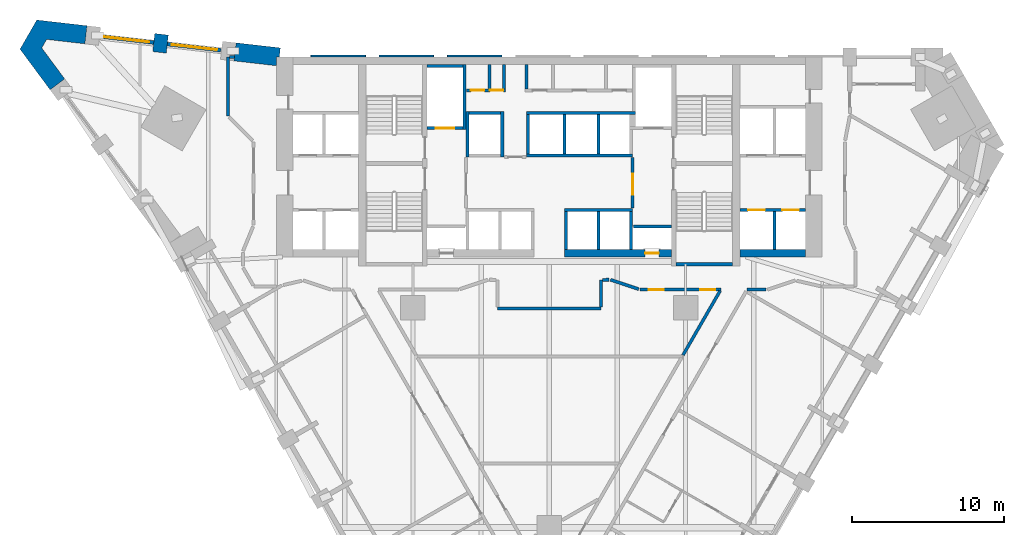
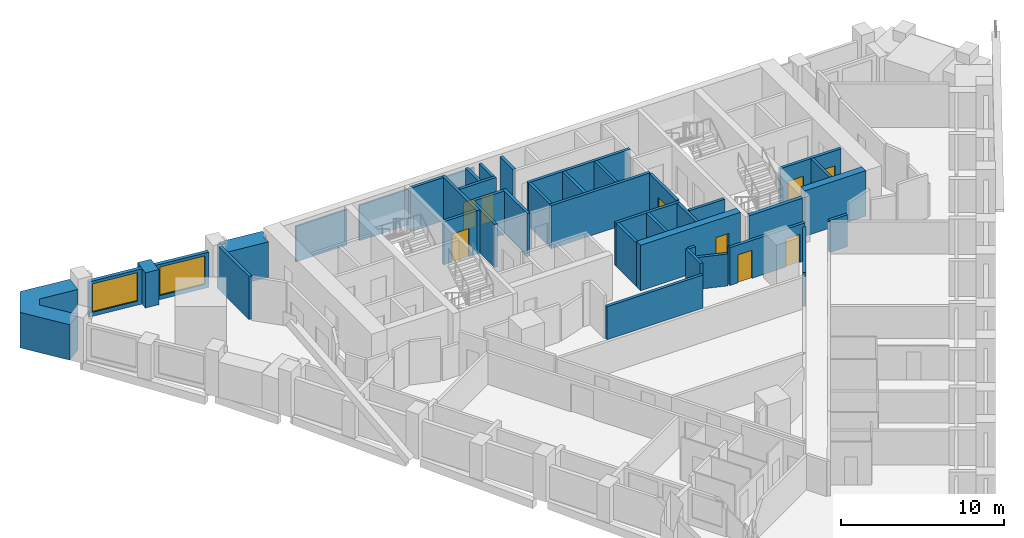
# One storey, part 7 of 11: 43 walls, 9 doors, 2 windows, 11 openings.
"""IFC4 building model written with IfcOpenShell, lengths in metres."""

from ifc_helpers import new_model, si_unit, direction, frame, frame_2d, origin, place, context, subcontext, project, spatial, polyline, rectangle, outline, extrude, material, layer, layer_set, type_object, element, fill, save


model = new_model("IFC4")

# Units and contexts
model_context = context("Model", 3, precision=1e-05, world=origin(), true_north=direction((0.0, 1.0)))
body_context = subcontext(model_context, "Body", "Model", "MODEL_VIEW")
ifc_project = project(units=[si_unit("LENGTHUNIT", "METRE"), si_unit("AREAUNIT", "SQUARE_METRE"), si_unit("VOLUMEUNIT", "CUBIC_METRE"), si_unit("PLANEANGLEUNIT", "RADIAN"), si_unit("MASSUNIT", "GRAM", prefix="KILO")], contexts=[model_context])

# Site, building, storey
site_placement = place(None, origin())
site = spatial("IfcSite", under=ifc_project, at=site_placement, CompositionType="ELEMENT")
building_placement = place(site_placement, origin())
building = spatial("IfcBuilding", under=site, at=building_placement, Name="Calabash Gate Tower", CompositionType="ELEMENT")
storey_placement = place(building_placement, frame((0.0, 0.0, 73.199951171875)))
storey = spatial("IfcBuildingStorey", under=building, at=storey_placement, Name="L14", CompositionType="ELEMENT", Elevation=73.199951171875)

# Walls
ifc_material_1 = material(Name="Terracotta brick masonry, exposed face", Category="masonry")
ifc_layer_1 = layer(ifc_material_1, 1.199951171875)
ifc_layer_set_1 = layer_set([ifc_layer_1], Name="Brick end wall 1200")
wall_type_1 = type_object("IfcWallType", Name="Brick end wall 1200", PredefinedType="SOLIDWALL", material=ifc_layer_set_1)
wall_1_placement = place(storey_placement, frame((-25.712890625, 19.35400390625, 0.0), z_axis=(0.0, 0.0, 1.0), x_axis=(0.113735952551, 0.993511013073, 0.0)))
element("IfcWall", 1, at=wall_1_placement, inside=storey, type_object=wall_type_1, Name="Brick pier S03 wedge5.1", PredefinedType="SOLIDWALL", context=body_context, shape_type="SweptSolid", body=[
    extrude(rectangle(XDim=1.199951171875, YDim=0.89990234375, at=frame_2d((0.60009765625, 0.0))), origin(), (0.0, 0.0, 1.0), 2.630126953125),
])
wall_2_placement = place(storey_placement, origin())
element("IfcWall", 2, at=wall_2_placement, inside=storey, type_object=wall_type_1, Name="Brick end wall S03 1", PredefinedType="SOLIDWALL", context=body_context, shape_type="SweptSolid", body=[
    extrude(outline(polyline([(-20.658447265625, 19.983154296875), (-20.794921875, 18.790771484375), (-18.0, 18.470703125), (-18.0, 19.052490234375), (-17.806640625, 19.052490234375), (-17.738525390625, 19.648681640625), (-20.658447265625, 19.983154296875)])), origin(), (0.0, 0.0, 1.0), 2.650146484375),
])
wall_3_placement = place(storey_placement, origin())
element("IfcWall", 3, at=wall_3_placement, inside=storey, type_object=wall_type_1, Name="Brick end wall S03 2", PredefinedType="SOLIDWALL", context=body_context, shape_type="SweptSolid", body=[
    extrude(outline(polyline([(-33.15966796875, 20.206787109375), (-30.630615234375, 19.917236328125), (-30.494140625, 21.109375), (-33.805419921875, 21.48876953125), (-34.915771484375, 19.5654296875), (-32.931884765625, 16.887451171875), (-31.967529296875, 17.601806640625), (-33.48291015625, 19.647216796875), (-33.15966796875, 20.206787109375)])), origin(), (0.0, 0.0, 1.0), 2.650146484375),
])
ifc_material_2 = material(Name="Gypsum board on steel studs, mineral wool", Category="steel")
ifc_layer_2 = layer(ifc_material_2, 0.199951171875)
ifc_layer_set_2 = layer_set([ifc_layer_2], Name="Core partition 200 gypsum board")
wall_type_2 = type_object("IfcWallType", Name="Core partition 200 gypsum board", PredefinedType="PARTITIONING", material=ifc_layer_set_2)
for number, where, z_axis, x_axis, name in (
    (4, (-3.949951171875, 16.95263671875, 0.0), (0.0, 0.0, 1.0), (0.0, 1.0, 0.0), "Core partition"),
    (5, (-3.0, 16.95263671875, 0.0), (0.0, 0.0, 1.0), (0.0, 1.0, 0.0), "Core partition"),
    (6, (-1.5, 16.95263671875, 0.0), (0.0, 0.0, 1.0), (0.0, 1.0, 0.0), "Core partition"),
):
    element("IfcWall", number, at=place(storey_placement, frame(where, z_axis=z_axis, x_axis=x_axis)), inside=storey, type_object=wall_type_2, Name=name, PredefinedType="PARTITIONING", context=body_context, shape_type="SweptSolid", body=[
        extrude(rectangle(XDim=1.599853515625, YDim=0.199951171875, at=frame_2d((0.7998046875, 0.0))), origin(), (0.0, 0.0, 1.0), 3.22998046875),
    ])
ifc_material_3 = material(Name="Concrete C80/95", Category="concrete")
ifc_layer_3 = layer(ifc_material_3, 0.25)
ifc_layer_set_3 = layer_set([ifc_layer_3], Name="Core wall 250 Concrete C80/95")
wall_type_3 = type_object("IfcWallType", Name="Core wall 250 Concrete C80/95", PredefinedType="SHEAR", material=ifc_layer_set_3)
wall_4_placement = place(storey_placement, frame((8.35009765625, 5.377685546875, 0.0), z_axis=(0.0, 0.0, 1.0), x_axis=(1.0, 0.0, 0.0)))
element("IfcWall", 7, at=wall_4_placement, inside=storey, type_object=wall_type_3, Name="Core wall Z1-SSE L14", PredefinedType="SHEAR", context=body_context, shape_type="SweptSolid", body=[
    extrude(rectangle(XDim=3.75, YDim=0.25, at=frame_2d((1.875, 0.0))), origin(), (0.0, 0.0, 1.0), 3.400146484375),
])

# Wall, opening, door
ifc_material_4 = material(Name="Concrete C80/95", Category="concrete")
ifc_layer_4 = layer(ifc_material_4, 0.5)
ifc_layer_set_4 = layer_set([ifc_layer_4], Name="Core wall 500 Concrete C80/95")
wall_type_4 = type_object("IfcWallType", Name="Core wall 500 Concrete C80/95", PredefinedType="SHEAR", material=ifc_layer_set_4)
wall_5_placement = place(storey_placement, frame((1.0, 6.1025390625, 0.0), z_axis=(0.0, 0.0, 1.0), x_axis=(1.0, 0.0, 0.0)))
wall_5 = element("IfcWall", 8, at=wall_5_placement, inside=storey, type_object=wall_type_4, Name="Core wall Z1-SB L14", PredefinedType="SHEAR", context=body_context, shape_type="SweptSolid", body=[
    extrude(rectangle(XDim=7.050048828125, YDim=0.5, at=frame_2d((3.52490234375, 0.0))), origin(), (0.0, 0.0, 1.0), 3.400146484375),
])
opening_1_placement = place(wall_5_placement, frame((5.324951171875, 0.0, 0.0)))
opening_1 = element("IfcOpeningElement", 9, at=opening_1_placement, cuts=wall_5, Name="Opening H3-013", PredefinedType="OPENING", context=body_context, shape_type="SweptSolid", body=[
    extrude(rectangle(XDim=0.89990234375, YDim=2.10009765625, at=frame_2d((0.449951171875, 1.050048828125))), frame((0.0, 0.260009765625, 0.0), z_axis=(0.0, -1.0, 0.0), x_axis=(1.0, 0.0, 0.0)), (0.0, 0.0, 1.0), 0.52001953125),
])
ifc_material_5 = material(Name="Steel fire door set with fire-resisting glazing", Category="steel")
door_type_1 = type_object("IfcDoorType", Name="Fire door D07 900x2100 FD90", OperationType="NOTDEFINED", PredefinedType="DOOR", material=ifc_material_5)
door_1_placement = place(opening_1_placement, origin())
door_1 = element("IfcDoor", 10, at=door_1_placement, inside=storey, type_object=door_type_1, Name="Mechanical Riser E door", OperationType="SINGLE_SWING_RIGHT", OverallHeight=2.10009765625, OverallWidth=0.89990234375, PredefinedType="DOOR", context=body_context, shape_type="SweptSolid", body=[
    extrude(rectangle(XDim=0.89990234375, YDim=2.10009765625, at=frame_2d((0.449951171875, 1.050048828125))), frame((0.0, 0.02490234375, 0.0), z_axis=(0.0, -1.0, 0.0), x_axis=(1.0, 0.0, 0.0)), (0.0, 0.0, 1.0), 0.050048828125),
])
fill(opening_1, door_1)

# Walls
wall_6_placement = place(storey_placement, frame((12.60009765625, 6.1025390625, 0.0), z_axis=(0.0, 0.0, 1.0), x_axis=(1.0, 0.0, 0.0)))
element("IfcWall", 11, at=wall_6_placement, inside=storey, type_object=wall_type_4, Name="Core wall Z1-SE L14", PredefinedType="SHEAR", context=body_context, shape_type="SweptSolid", body=[
    extrude(rectangle(XDim=4.2998046875, YDim=0.5, at=frame_2d((2.14990234375, 0.0))), origin(), (0.0, 0.0, 1.0), 3.400146484375),
])
ifc_material_6 = material(Name="Gypsum board on steel studs, mineral wool", Category="steel")
ifc_layer_5 = layer(ifc_material_6, 0.199951171875)
ifc_layer_set_5 = layer_set([ifc_layer_5], Name="Partition 200 gypsum board EI 60")
wall_type_5 = type_object("IfcWallType", Name="Partition 200 gypsum board EI 60", PredefinedType="PARTITIONING", material=ifc_layer_set_5)
wall_7_placement = place(storey_placement, frame((8.824462890625, -0.616943359375, 0.0), z_axis=(0.0, 0.0, 1.0), x_axis=(0.500271769931, 0.865868440475, 0.0)))
element("IfcWall", 12, at=wall_7_placement, inside=storey, type_object=wall_type_5, Name="Partition", PredefinedType="PARTITIONING", context=body_context, shape_type="SweptSolid", body=[
    extrude(rectangle(XDim=4.885498046875, YDim=0.199951171875, at=frame_2d((2.44287109375, 0.0))), origin(), (0.0, 0.0, 1.0), 2.552001953125),
])
wall_8_placement = place(storey_placement, frame((-3.400146484375, 2.452392578125, 0.0), z_axis=(0.0, 0.0, 1.0), x_axis=(1.0, 0.0, 0.0)))
element("IfcWall", 13, at=wall_8_placement, inside=storey, type_object=wall_type_5, Name="Partition", PredefinedType="PARTITIONING", context=body_context, shape_type="SweptSolid", body=[
    extrude(rectangle(XDim=6.800048828125, YDim=0.199951171875, at=frame_2d((3.39990234375, 0.0))), origin(), (0.0, 0.0, 1.0), 2.4736328125),
])

# Wall, openings, doors
wall_9_placement = place(storey_placement, frame((6.0, 3.69970703125, 0.0), z_axis=(0.0, 0.0, 1.0), x_axis=(1.0, 0.0, 0.0)))
wall_9 = element("IfcWall", 14, at=wall_9_placement, inside=storey, type_object=wall_type_5, Name="Partition", PredefinedType="PARTITIONING", context=body_context, shape_type="SweptSolid", body=[
    extrude(rectangle(XDim=5.318603515625, YDim=0.199951171875, at=frame_2d((2.6591796875, 0.0))), origin(), (0.0, 0.0, 1.0), 2.83154296875),
])
opening_2_placement = place(wall_9_placement, frame((0.563720703125, 0.0, 0.0)))
opening_2 = element("IfcOpeningElement", 15, at=opening_2_placement, cuts=wall_9, Name="Opening 12-14-010", PredefinedType="OPENING", context=body_context, shape_type="SweptSolid", body=[
    extrude(rectangle(XDim=1.0, YDim=2.10009765625, at=frame_2d((0.5, 1.050048828125))), frame((0.0, 0.10986328125, 0.0), z_axis=(0.0, -1.0, 0.0), x_axis=(1.0, 0.0, 0.0)), (0.0, 0.0, 1.0), 0.219970703125),
])
opening_3_placement = place(wall_9_placement, frame((3.949951171875, 0.0, 0.0)))
opening_3 = element("IfcOpeningElement", 16, at=opening_3_placement, cuts=wall_9, Name="Opening 12-14-025", PredefinedType="OPENING", context=body_context, shape_type="SweptSolid", body=[
    extrude(rectangle(XDim=1.0, YDim=2.10009765625, at=frame_2d((0.5, 1.050048828125))), frame((0.0, 0.10986328125, 0.0), z_axis=(0.0, -1.0, 0.0), x_axis=(1.0, 0.0, 0.0)), (0.0, 0.0, 1.0), 0.219970703125),
])
ifc_material_7 = material(Name="Steel fire door set with fire-resisting glazing", Category="steel")
door_type_2 = type_object("IfcDoorType", Name="LD2 Meeting room door 1000x2100", OperationType="NOTDEFINED", PredefinedType="DOOR", material=ifc_material_7)
door_2_placement = place(opening_2_placement, origin())
door_2 = element("IfcDoor", 17, at=door_2_placement, inside=storey, type_object=door_type_2, Name="Meeting room door", OperationType="SINGLE_SWING_RIGHT", OverallHeight=2.10009765625, OverallWidth=1.0, PredefinedType="DOOR", context=body_context, shape_type="SweptSolid", body=[
    extrude(rectangle(XDim=1.0, YDim=2.10009765625, at=frame_2d((0.5, 1.050048828125))), frame((0.0, 0.02490234375, 0.0), z_axis=(0.0, -1.0, 0.0), x_axis=(1.0, 0.0, 0.0)), (0.0, 0.0, 1.0), 0.050048828125),
])
fill(opening_2, door_2)
door_3_placement = place(opening_3_placement, origin())
door_3 = element("IfcDoor", 18, at=door_3_placement, inside=storey, type_object=door_type_2, Name="Meeting room door", OperationType="SINGLE_SWING_LEFT", OverallHeight=2.10009765625, OverallWidth=1.0, PredefinedType="DOOR", context=body_context, shape_type="SweptSolid", body=[
    extrude(rectangle(XDim=1.0, YDim=2.10009765625, at=frame_2d((0.5, 1.050048828125))), frame((0.0, 0.02490234375, 0.0), z_axis=(0.0, -1.0, 0.0), x_axis=(1.0, 0.0, 0.0)), (0.0, 0.0, 1.0), 0.050048828125),
])
fill(opening_3, door_3)

# Walls
wall_10_placement = place(storey_placement, frame((13.051513671875, 3.699462890625, 0.0), z_axis=(0.0, 0.0, 1.0), x_axis=(1.0, 0.0, 0.0)))
element("IfcWall", 19, at=wall_10_placement, inside=storey, type_object=wall_type_5, Name="Partition", PredefinedType="PARTITIONING", context=body_context, shape_type="SweptSolid", body=[
    extrude(rectangle(XDim=1.24853515625, YDim=0.199951171875, at=frame_2d((0.624267578125, 0.0))), origin(), (0.0, 0.0, 1.0), 2.384033203125),
])
wall_11_placement = place(storey_placement, frame((4.042236328125, 4.352294921875, 0.0), z_axis=(0.0, 0.0, 1.0), x_axis=(0.948695731075, -0.316190464499, 0.0)))
element("IfcWall", 20, at=wall_11_placement, inside=storey, type_object=wall_type_5, Name="Partition", PredefinedType="PARTITIONING", context=body_context, shape_type="SweptSolid", body=[
    extrude(rectangle(XDim=1.963623046875, YDim=0.199951171875, at=frame_2d((0.98193359375, 0.0))), origin(), (0.0, 0.0, 1.0), 2.384033203125),
])
wall_12_placement = place(storey_placement, frame((3.400146484375, 2.552490234375, 0.0), z_axis=(0.0, 0.0, 1.0), x_axis=(0.001086217961, 0.999999410065, 0.0)))
element("IfcWall", 21, at=wall_12_placement, inside=storey, type_object=wall_type_5, Name="Partition", PredefinedType="PARTITIONING", context=body_context, shape_type="SweptSolid", body=[
    extrude(rectangle(XDim=1.798095703125, YDim=0.199951171875, at=frame_2d((0.89892578125, 0.0))), origin(), (0.0, 0.0, 1.0), 3.22998046875),
])
wall_13_placement = place(storey_placement, frame((3.501953125, 4.350830078125, 0.0), z_axis=(0.0, 0.0, 1.0), x_axis=(0.999996159087, 0.00277160798, 0.0)))
element("IfcWall", 22, at=wall_13_placement, inside=storey, type_object=wall_type_5, Name="Partition", PredefinedType="PARTITIONING", context=body_context, shape_type="SweptSolid", body=[
    extrude(rectangle(XDim=0.4404296875, YDim=0.199951171875, at=frame_2d((0.22021484375, 0.0))), origin(), (0.0, 0.0, 1.0), 3.22998046875),
])
wall_14_placement = place(storey_placement, frame((-21.185791015625, 15.152587890625, 0.0), z_axis=(0.0, 0.0, 1.0), x_axis=(6.2601728e-05, 0.999999998041, 0.0)))
element("IfcWall", 23, at=wall_14_placement, inside=storey, type_object=wall_type_5, Name="Partition", PredefinedType="PARTITIONING", context=body_context, shape_type="SweptSolid", body=[
    extrude(rectangle(XDim=3.89990234375, YDim=0.199951171875, at=frame_2d((1.949951171875, 0.0))), origin(), (0.0, 0.0, 1.0), 3.22998046875),
])
wall_15_placement = place(storey_placement, frame((-21.08544921875, 19.052490234375, 0.0), z_axis=(0.0, 0.0, 1.0), x_axis=(0.999999709972, 0.000761614402, 0.0)))
element("IfcWall", 24, at=wall_15_placement, inside=storey, type_object=wall_type_5, Name="Partition", PredefinedType="PARTITIONING", context=body_context, shape_type="SweptSolid", body=[
    extrude(rectangle(XDim=0.320556640625, YDim=0.199951171875, at=frame_2d((0.16015625, 0.0))), origin(), (0.0, 0.0, 1.0), 3.22998046875),
])

# Wall, opening, window
ifc_material_8 = material(Name="Aluminium framed window wall with insulated spandrel", Category="aluminium")
ifc_layer_6 = layer(ifc_material_8, 0.25)
ifc_layer_set_6 = layer_set([ifc_layer_6], Name="Prow window wall 250")
wall_type_6 = type_object("IfcWallType", Name="Prow window wall 250", PredefinedType="ELEMENTEDWALL", material=ifc_layer_set_6)
wall_16_placement = place(storey_placement, frame((-21.670654296875, 19.4951171875, 0.0), z_axis=(0.0, 0.0, 1.0), x_axis=(-0.993508501237, 0.113757891902, 0.0)))
wall_16 = element("IfcWall", 25, at=wall_16_placement, inside=storey, type_object=wall_type_6, Name="Prow window wall S03 wedge5.1", PredefinedType="ELEMENTEDWALL", context=body_context, shape_type="SweptSolid", body=[
    extrude(rectangle(XDim=3.5517578125, YDim=0.25, at=frame_2d((1.77587890625, 0.0))), origin(), (0.0, 0.0, 1.0), 2.630126953125),
])
opening_4_placement = place(wall_16_placement, frame((0.25, 0.0, 0.300048828125)))
opening_4 = element("IfcOpeningElement", 26, at=opening_4_placement, cuts=wall_16, Name="Opening WP1L-2130", PredefinedType="OPENING", context=body_context, shape_type="SweptSolid", body=[
    extrude(rectangle(XDim=3.0, YDim=2.1298828125, at=frame_2d((1.5, 1.06494140625))), frame((0.0, 0.135009765625, 0.0), z_axis=(0.0, -1.0, 0.0), x_axis=(1.0, 0.0, 0.0)), (0.0, 0.0, 1.0), 0.27001953125),
])
ifc_material_9 = material(Name="Anodised aluminium frame, bronze finish, impact-rated laminated clear glazing", Category="aluminium")
window_type = type_object("IfcWindowType", Name="Window WP1L 3000x2130", PartitioningType="DOUBLE_PANEL_VERTICAL", PredefinedType="WINDOW", material=ifc_material_9)
window_1_placement = place(opening_4_placement, origin())
window_1 = element("IfcWindow", 27, at=window_1_placement, inside=storey, type_object=window_type, Name="Prow window WP1L S03 wedge5.1", OverallHeight=2.1298828125, OverallWidth=3.0, PartitioningType="SINGLE_PANEL", PredefinedType="WINDOW", context=body_context, shape_type="SweptSolid", body=[
    extrude(rectangle(XDim=3.0, YDim=2.1298828125, at=frame_2d((1.5, 1.06494140625))), frame((0.0, 0.030029296875, 0.0), z_axis=(0.0, -1.0, 0.0), x_axis=(1.0, 0.0, 0.0)), (0.0, 0.0, 1.0), 0.06005859375),
])
fill(opening_4, window_1)

wall_17_placement = place(storey_placement, frame((-26.089599609375, 20.001220703125, 0.0), z_axis=(0.0, 0.0, 1.0), x_axis=(-0.993509390647, 0.113750123938, 0.0)))
wall_17 = element("IfcWall", 28, at=wall_17_placement, inside=storey, type_object=wall_type_6, Name="Prow window wall S03 wedge5.2", PredefinedType="ELEMENTEDWALL", context=body_context, shape_type="SweptSolid", body=[
    extrude(rectangle(XDim=3.552001953125, YDim=0.25, at=frame_2d((1.77587890625, 0.0))), origin(), (0.0, 0.0, 1.0), 2.630126953125),
])
opening_5_placement = place(wall_17_placement, frame((0.302001953125, 0.0, 0.300048828125)))
opening_5 = element("IfcOpeningElement", 29, at=opening_5_placement, cuts=wall_17, Name="Opening WP1L-2130", PredefinedType="OPENING", context=body_context, shape_type="SweptSolid", body=[
    extrude(rectangle(XDim=3.0, YDim=2.1298828125, at=frame_2d((1.5, 1.06494140625))), frame((0.0, 0.135009765625, 0.0), z_axis=(0.0, -1.0, 0.0), x_axis=(1.0, 0.0, 0.0)), (0.0, 0.0, 1.0), 0.27001953125),
])
window_2_placement = place(opening_5_placement, origin())
window_2 = element("IfcWindow", 30, at=window_2_placement, inside=storey, type_object=window_type, Name="Prow window WP1L S03 wedge5.2", OverallHeight=2.1298828125, OverallWidth=3.0, PartitioningType="SINGLE_PANEL", PredefinedType="WINDOW", context=body_context, shape_type="SweptSolid", body=[
    extrude(rectangle(XDim=3.0, YDim=2.1298828125, at=frame_2d((1.5, 1.06494140625))), frame((0.0, 0.030029296875, 0.0), z_axis=(0.0, -1.0, 0.0), x_axis=(1.0, 0.0, 0.0)), (0.0, 0.0, 1.0), 0.06005859375),
])
fill(opening_5, window_2)

# Walls
ifc_material_10 = material(Name="Concrete C40/50", Category="concrete")
ifc_layer_7 = layer(ifc_material_10, 0.199951171875)
ifc_layer_set_7 = layer_set([ifc_layer_7], Name="Shaft wall 200 Concrete C40/50")
wall_type_7 = type_object("IfcWallType", Name="Shaft wall 200 Concrete C40/50", PredefinedType="SOLIDWALL", material=ifc_layer_set_7)
for number, where, z_axis, x_axis, name in (
    (31, (1.10009765625, 6.3525390625, 0.0), (0.0, 0.0, 1.0), (0.0, 1.0, 0.0), "Shaft wall"),
    (32, (3.25, 6.3525390625, 0.0), (0.0, 0.0, 1.0), (0.0, 1.0, 0.0), "Shaft wall"),
    (33, (5.39990234375, 6.3525390625, 0.0), (0.0, 0.0, 1.0), (0.0, 1.0, 0.0), "Shaft wall"),
    (34, (14.85009765625, 6.3525390625, 0.0), (0.0, 0.0, 1.0), (0.0, 1.0, 0.0), "Shaft wall"),
    (35, (5.550048828125, 7.8525390625, 0.0), (0.0, 0.0, 1.0), (1.0, 0.0, 0.0), "Shaft wall"),
):
    element("IfcWall", number, at=place(storey_placement, frame(where, z_axis=z_axis, x_axis=x_axis)), inside=storey, type_object=wall_type_7, Name=name, PredefinedType="SOLIDWALL", context=body_context, shape_type="SweptSolid", body=[
        extrude(rectangle(XDim=2.5, YDim=0.199951171875, at=frame_2d((1.25, 0.0))), origin(), (0.0, 0.0, 1.0), 3.22998046875),
    ])
wall_18_placement = place(storey_placement, frame((1.0, 8.95263671875, 0.0), z_axis=(0.0, 0.0, 1.0), x_axis=(1.0, 0.0, 0.0)))
element("IfcWall", 36, at=wall_18_placement, inside=storey, type_object=wall_type_7, Name="Shaft wall", PredefinedType="SOLIDWALL", context=body_context, shape_type="SweptSolid", body=[
    extrude(rectangle(XDim=4.5, YDim=0.199951171875, at=frame_2d((2.25, 0.0))), origin(), (0.0, 0.0, 1.0), 3.22998046875),
])

# Wall, openings, doors
wall_19_placement = place(storey_placement, frame((12.60009765625, 8.95263671875, 0.0), z_axis=(0.0, 0.0, 1.0), x_axis=(1.0, 0.0, 0.0)))
wall_19 = element("IfcWall", 37, at=wall_19_placement, inside=storey, type_object=wall_type_7, Name="Shaft wall", PredefinedType="SOLIDWALL", context=body_context, shape_type="SweptSolid", body=[
    extrude(rectangle(XDim=4.2998046875, YDim=0.199951171875, at=frame_2d((2.14990234375, 0.0))), origin(), (0.0, 0.0, 1.0), 3.22998046875),
])
opening_6_placement = place(wall_19_placement, frame((0.52490234375, 0.0, 0.0)))
opening_6 = element("IfcOpeningElement", 38, at=opening_6_placement, cuts=wall_19, Name="Opening LD-LR5", PredefinedType="OPENING", context=body_context, shape_type="SweptSolid", body=[
    extrude(rectangle(XDim=1.10009765625, YDim=2.10009765625, at=frame_2d((0.550048828125, 1.050048828125))), frame((0.0, 0.10986328125, 0.0), z_axis=(0.0, -1.0, 0.0), x_axis=(1.0, 0.0, 0.0)), (0.0, 0.0, 1.0), 0.219970703125),
])
opening_7_placement = place(wall_19_placement, frame((2.77490234375, 0.0, 0.0)))
opening_7 = element("IfcOpeningElement", 39, at=opening_7_placement, cuts=wall_19, Name="Opening LD-LR6", PredefinedType="OPENING", context=body_context, shape_type="SweptSolid", body=[
    extrude(rectangle(XDim=1.10009765625, YDim=2.10009765625, at=frame_2d((0.550048828125, 1.050048828125))), frame((0.0, 0.10986328125, 0.0), z_axis=(0.0, -1.0, 0.0), x_axis=(1.0, 0.0, 0.0)), (0.0, 0.0, 1.0), 0.219970703125),
])
ifc_material_11 = material(Name="Stainless steel sliding door leaves", Category="steel")
door_type_3 = type_object("IfcDoorType", Name="Lift landing door LS1 1100x2100 FD90", OperationType="DOUBLE_DOOR_SLIDING", PredefinedType="DOOR", material=ifc_material_11)
door_4_placement = place(opening_6_placement, origin())
door_4 = element("IfcDoor", 40, at=door_4_placement, inside=storey, type_object=door_type_3, Name="Lift landing door LR5", OperationType="DOUBLE_DOOR_SLIDING", OverallHeight=2.10009765625, OverallWidth=1.10009765625, PredefinedType="DOOR", context=body_context, shape_type="SweptSolid", body=[
    extrude(rectangle(XDim=1.10009765625, YDim=2.10009765625, at=frame_2d((0.550048828125, 1.050048828125))), frame((0.0, 0.02490234375, 0.0), z_axis=(0.0, -1.0, 0.0), x_axis=(1.0, 0.0, 0.0)), (0.0, 0.0, 1.0), 0.050048828125),
])
fill(opening_6, door_4)
door_5_placement = place(opening_7_placement, origin())
door_5 = element("IfcDoor", 41, at=door_5_placement, inside=storey, type_object=door_type_3, Name="Lift landing door LR6", OperationType="DOUBLE_DOOR_SLIDING", OverallHeight=2.10009765625, OverallWidth=1.10009765625, PredefinedType="DOOR", context=body_context, shape_type="SweptSolid", body=[
    extrude(rectangle(XDim=1.10009765625, YDim=2.10009765625, at=frame_2d((0.550048828125, 1.050048828125))), frame((0.0, 0.02490234375, 0.0), z_axis=(0.0, -1.0, 0.0), x_axis=(1.0, 0.0, 0.0)), (0.0, 0.0, 1.0), 0.050048828125),
])
fill(opening_7, door_5)

# Wall, opening, door
wall_20_placement = place(storey_placement, frame((5.5, 9.1025390625, 0.0), z_axis=(0.0, 0.0, 1.0), x_axis=(0.0, 1.0, 0.0)))
wall_20 = element("IfcWall", 42, at=wall_20_placement, inside=storey, type_object=wall_type_7, Name="Shaft wall", PredefinedType="SOLIDWALL", context=body_context, shape_type="SweptSolid", body=[
    extrude(rectangle(XDim=3.300048828125, YDim=0.199951171875, at=frame_2d((1.64990234375, 0.0))), origin(), (0.0, 0.0, 1.0), 3.22998046875),
])
opening_8_placement = place(wall_20_placement, frame((0.85009765625, 0.0, 0.0)))
opening_8 = element("IfcOpeningElement", 43, at=opening_8_placement, cuts=wall_20, Name="Opening H3-006", PredefinedType="OPENING", context=body_context, shape_type="SweptSolid", body=[
    extrude(rectangle(XDim=1.39990234375, YDim=2.10009765625, at=frame_2d((0.699951171875, 1.050048828125))), frame((0.0, 0.10986328125, 0.0), z_axis=(0.0, -1.0, 0.0), x_axis=(1.0, 0.0, 0.0)), (0.0, 0.0, 1.0), 0.219970703125),
])
ifc_material_12 = material(Name="Steel fire door set with fire-resisting glazing", Category="steel")
door_type_4 = type_object("IfcDoorType", Name="Fire door D05 1400x2100 FD90", OperationType="NOTDEFINED", PredefinedType="DOOR", material=ifc_material_12)
door_6_placement = place(opening_8_placement, origin())
door_6 = element("IfcDoor", 44, at=door_6_placement, inside=storey, type_object=door_type_4, Name="Firefighting Lobby E door", OperationType="SINGLE_SWING_LEFT", OverallHeight=2.10009765625, OverallWidth=1.39990234375, PredefinedType="DOOR", context=body_context, shape_type="SweptSolid", body=[
    extrude(rectangle(XDim=1.39990234375, YDim=2.10009765625, at=frame_2d((0.699951171875, 1.050048828125))), frame((0.0, 0.02490234375, 0.0), z_axis=(0.0, -1.0, 0.0), x_axis=(1.0, 0.0, 0.0)), (0.0, 0.0, 1.0), 0.050048828125),
])
fill(opening_8, door_6)

# Walls
for number, where, z_axis, x_axis, name in (
    (45, (-5.39990234375, 12.45263671875, 0.0), (0.0, 0.0, 1.0), (0.0, 1.0, 0.0), "Shaft wall"),
    (46, (-3.10009765625, 12.45263671875, 0.0), (0.0, 0.0, 1.0), (0.0, 1.0, 0.0), "Shaft wall"),
):
    element("IfcWall", number, at=place(storey_placement, frame(where, z_axis=z_axis, x_axis=x_axis)), inside=storey, type_object=wall_type_7, Name=name, PredefinedType="SOLIDWALL", context=body_context, shape_type="SweptSolid", body=[
        extrude(rectangle(XDim=3.0, YDim=0.199951171875, at=frame_2d((1.5, 0.0))), origin(), (0.0, 0.0, 1.0), 3.22998046875),
    ])
wall_21_placement = place(storey_placement, frame((-1.5, 12.552490234375, 0.0), z_axis=(0.0, 0.0, 1.0), x_axis=(1.0, 0.0, 0.0)))
element("IfcWall", 47, at=wall_21_placement, inside=storey, type_object=wall_type_7, Name="Shaft wall", PredefinedType="SOLIDWALL", context=body_context, shape_type="SweptSolid", body=[
    extrude(rectangle(XDim=7.0, YDim=0.199951171875, at=frame_2d((3.5, 0.0))), origin(), (0.0, 0.0, 1.0), 3.22998046875),
])
for number, where, z_axis, x_axis, name in (
    (48, (-1.39990234375, 12.652587890625, 0.0), (0.0, 0.0, 1.0), (0.0, 1.0, 0.0), "Shaft wall"),
    (49, (1.0, 12.652587890625, 0.0), (0.0, 0.0, 1.0), (0.0, 1.0, 0.0), "Shaft wall"),
    (50, (3.25, 12.652587890625, 0.0), (0.0, 0.0, 1.0), (0.0, 1.0, 0.0), "Shaft wall"),
):
    element("IfcWall", number, at=place(storey_placement, frame(where, z_axis=z_axis, x_axis=x_axis)), inside=storey, type_object=wall_type_7, Name=name, PredefinedType="SOLIDWALL", context=body_context, shape_type="SweptSolid", body=[
        extrude(rectangle(XDim=2.60009765625, YDim=0.199951171875, at=frame_2d((1.300048828125, 0.0))), origin(), (0.0, 0.0, 1.0), 3.22998046875),
    ])

# Wall, opening, door
wall_22_placement = place(storey_placement, frame((-8.050048828125, 14.3525390625, 0.0), z_axis=(0.0, 0.0, 1.0), x_axis=(1.0, 0.0, 0.0)))
wall_22 = element("IfcWall", 51, at=wall_22_placement, inside=storey, type_object=wall_type_7, Name="Shaft wall", PredefinedType="SOLIDWALL", context=body_context, shape_type="SweptSolid", body=[
    extrude(rectangle(XDim=2.35009765625, YDim=0.199951171875, at=frame_2d((1.175048828125, 0.0))), origin(), (0.0, 0.0, 1.0), 3.22998046875),
])
opening_9_placement = place(wall_22_placement, frame((0.574951171875, 0.0, 0.0)))
opening_9 = element("IfcOpeningElement", 52, at=opening_9_placement, cuts=wall_22, Name="Opening LD-FF1", PredefinedType="OPENING", context=body_context, shape_type="SweptSolid", body=[
    extrude(rectangle(XDim=1.199951171875, YDim=2.10009765625, at=frame_2d((0.60009765625, 1.050048828125))), frame((0.0, 0.10986328125, 0.0), z_axis=(0.0, -1.0, 0.0), x_axis=(1.0, 0.0, 0.0)), (0.0, 0.0, 1.0), 0.219970703125),
])
ifc_material_13 = material(Name="Stainless steel sliding door leaves", Category="steel")
door_type_5 = type_object("IfcDoorType", Name="Lift landing door LS3 1200x2100 FD90", OperationType="DOUBLE_DOOR_SLIDING", PredefinedType="DOOR", material=ifc_material_13)
door_7_placement = place(opening_9_placement, origin())
door_7 = element("IfcDoor", 53, at=door_7_placement, inside=storey, type_object=door_type_5, Name="Lift landing door FF1", OperationType="DOUBLE_DOOR_SLIDING", OverallHeight=2.10009765625, OverallWidth=1.199951171875, PredefinedType="DOOR", context=body_context, shape_type="SweptSolid", body=[
    extrude(rectangle(XDim=1.199951171875, YDim=2.10009765625, at=frame_2d((0.60009765625, 1.050048828125))), frame((0.0, 0.02490234375, 0.0), z_axis=(0.0, -1.0, 0.0), x_axis=(1.0, 0.0, 0.0)), (0.0, 0.0, 1.0), 0.050048828125),
])
fill(opening_9, door_7)

# Walls
wall_23_placement = place(storey_placement, frame((-5.60009765625, 14.252685546875, 0.0), z_axis=(0.0, 0.0, 1.0), x_axis=(0.0, 1.0, 0.0)))
element("IfcWall", 54, at=wall_23_placement, inside=storey, type_object=wall_type_7, Name="Shaft wall", PredefinedType="SOLIDWALL", context=body_context, shape_type="SweptSolid", body=[
    extrude(rectangle(XDim=4.2998046875, YDim=0.199951171875, at=frame_2d((2.14990234375, 0.0))), origin(), (0.0, 0.0, 1.0), 3.22998046875),
])
wall_24_placement = place(storey_placement, frame((-5.300048828125, 15.3525390625, 0.0), z_axis=(0.0, 0.0, 1.0), x_axis=(1.0, 0.0, 0.0)))
element("IfcWall", 55, at=wall_24_placement, inside=storey, type_object=wall_type_7, Name="Shaft wall", PredefinedType="SOLIDWALL", context=body_context, shape_type="SweptSolid", body=[
    extrude(rectangle(XDim=2.10009765625, YDim=0.199951171875, at=frame_2d((1.050048828125, 0.0))), origin(), (0.0, 0.0, 1.0), 3.22998046875),
])
wall_25_placement = place(storey_placement, frame((-1.5, 15.3525390625, 0.0), z_axis=(0.0, 0.0, 1.0), x_axis=(1.0, 0.0, 0.0)))
element("IfcWall", 56, at=wall_25_placement, inside=storey, type_object=wall_type_7, Name="Shaft wall", PredefinedType="SOLIDWALL", context=body_context, shape_type="SweptSolid", body=[
    extrude(rectangle(XDim=7.199951171875, YDim=0.199951171875, at=frame_2d((3.60009765625, 0.0))), origin(), (0.0, 0.0, 1.0), 3.22998046875),
])

# Wall, openings, doors
wall_26_placement = place(storey_placement, frame((-5.449951171875, 16.8525390625, 0.0), z_axis=(0.0, 0.0, 1.0), x_axis=(1.0, 0.0, 0.0)))
wall_26 = element("IfcWall", 57, at=wall_26_placement, inside=storey, type_object=wall_type_7, Name="Shaft wall", PredefinedType="SOLIDWALL", context=body_context, shape_type="SweptSolid", body=[
    extrude(rectangle(XDim=2.550048828125, YDim=0.199951171875, at=frame_2d((1.27490234375, 0.0))), origin(), (0.0, 0.0, 1.0), 3.22998046875),
])
opening_10_placement = place(wall_26_placement, frame((0.27490234375, 0.0, 0.0)))
opening_10 = element("IfcOpeningElement", 58, at=opening_10_placement, cuts=wall_26, Name="Opening H3-008", PredefinedType="OPENING", context=body_context, shape_type="SweptSolid", body=[
    extrude(rectangle(XDim=0.89990234375, YDim=2.10009765625, at=frame_2d((0.449951171875, 1.050048828125))), frame((0.0, 0.10986328125, 0.0), z_axis=(0.0, -1.0, 0.0), x_axis=(1.0, 0.0, 0.0)), (0.0, 0.0, 1.0), 0.219970703125),
])
opening_11_placement = place(wall_26_placement, frame((1.52490234375, 0.0, 0.0)))
opening_11 = element("IfcOpeningElement", 59, at=opening_11_placement, cuts=wall_26, Name="Opening H3-009", PredefinedType="OPENING", context=body_context, shape_type="SweptSolid", body=[
    extrude(rectangle(XDim=0.89990234375, YDim=2.10009765625, at=frame_2d((0.449951171875, 1.050048828125))), frame((0.0, 0.10986328125, 0.0), z_axis=(0.0, -1.0, 0.0), x_axis=(1.0, 0.0, 0.0)), (0.0, 0.0, 1.0), 0.219970703125),
])
ifc_material_14 = material(Name="Steel fire door set with fire-resisting glazing", Category="steel")
door_type_6 = type_object("IfcDoorType", Name="Fire door D06 900x2100 FD60", OperationType="NOTDEFINED", PredefinedType="DOOR", material=ifc_material_14)
door_8_placement = place(opening_10_placement, origin())
door_8 = element("IfcDoor", 60, at=door_8_placement, inside=storey, type_object=door_type_6, Name="Ice and Vending door", OperationType="SINGLE_SWING_LEFT", OverallHeight=2.10009765625, OverallWidth=0.89990234375, PredefinedType="DOOR", context=body_context, shape_type="SweptSolid", body=[
    extrude(rectangle(XDim=0.89990234375, YDim=2.10009765625, at=frame_2d((0.449951171875, 1.050048828125))), frame((0.0, 0.02490234375, 0.0), z_axis=(0.0, -1.0, 0.0), x_axis=(1.0, 0.0, 0.0)), (0.0, 0.0, 1.0), 0.050048828125),
])
fill(opening_10, door_8)
door_9_placement = place(opening_11_placement, origin())
door_9 = element("IfcDoor", 61, at=door_9_placement, inside=storey, type_object=door_type_6, Name="Cleaner's Store door", OperationType="SINGLE_SWING_LEFT", OverallHeight=2.10009765625, OverallWidth=0.89990234375, PredefinedType="DOOR", context=body_context, shape_type="SweptSolid", body=[
    extrude(rectangle(XDim=0.89990234375, YDim=2.10009765625, at=frame_2d((0.449951171875, 1.050048828125))), frame((0.0, 0.02490234375, 0.0), z_axis=(0.0, -1.0, 0.0), x_axis=(1.0, 0.0, 0.0)), (0.0, 0.0, 1.0), 0.050048828125),
])
fill(opening_11, door_9)

# Walls
wall_27_placement = place(storey_placement, frame((-8.050048828125, 18.45263671875, 0.0), z_axis=(0.0, 0.0, 1.0), x_axis=(1.0, 0.0, 0.0)))
element("IfcWall", 62, at=wall_27_placement, inside=storey, type_object=wall_type_7, Name="Shaft wall", PredefinedType="SOLIDWALL", context=body_context, shape_type="SweptSolid", body=[
    extrude(rectangle(XDim=2.35009765625, YDim=0.199951171875, at=frame_2d((1.175048828125, 0.0))), origin(), (0.0, 0.0, 1.0), 3.22998046875),
])
ifc_material_15 = material(Name="Terracotta brick masonry, perforated", Category="masonry")
ifc_layer_8 = layer(ifc_material_15, 0.1201171875)
ifc_layer_set_8 = layer_set([ifc_layer_8], Name="Terracotta jaali cladding A 120")
wall_type_8 = type_object("IfcWallType", Name="Terracotta jaali cladding A 120", PredefinedType="SOLIDWALL", material=ifc_layer_set_8)
wall_28_placement = place(storey_placement, origin())
element("IfcWall", 63, at=wall_28_placement, inside=storey, type_object=wall_type_8, Name="Jaali cladding S03 N4.7", PredefinedType="SOLIDWALL", context=body_context, shape_type="SweptSolid", body=[
    extrude(outline(polyline([(-6.72216796875, 19.172607421875), (-6.72216796875, 19.052490234375), (-3.1220703125, 19.052490234375), (-3.1220703125, 19.172607421875), (-6.72216796875, 19.172607421875)])), origin(), (0.0, 0.0, 1.0), 2.650146484375),
])
wall_29_placement = place(storey_placement, origin())
element("IfcWall", 64, at=wall_29_placement, inside=storey, type_object=wall_type_8, Name="Jaali cladding S03 N4.9", PredefinedType="SOLIDWALL", context=body_context, shape_type="SweptSolid", body=[
    extrude(outline(polyline([(-15.72216796875, 19.172607421875), (-15.72216796875, 19.052490234375), (-12.1220703125, 19.052490234375), (-12.1220703125, 19.172607421875), (-15.72216796875, 19.172607421875)])), origin(), (0.0, 0.0, 1.0), 2.650146484375),
])
ifc_material_16 = material(Name="Terracotta louvre blades in an aluminium frame", Category="masonry")
ifc_layer_9 = layer(ifc_material_16, 0.1201171875)
ifc_layer_set_9 = layer_set([ifc_layer_9], Name="Terracotta vent louvre cladding 120")
wall_type_9 = type_object("IfcWallType", Name="Terracotta vent louvre cladding 120", PredefinedType="ELEMENTEDWALL", material=ifc_layer_set_9)
wall_30_placement = place(storey_placement, origin())
element("IfcWall", 65, at=wall_30_placement, inside=storey, type_object=wall_type_9, Name="Vent louvre cladding S03 N4.8", PredefinedType="ELEMENTEDWALL", context=body_context, shape_type="SweptSolid", body=[
    extrude(outline(polyline([(-11.22216796875, 19.172607421875), (-11.22216796875, 19.052490234375), (-7.6220703125, 19.052490234375), (-7.6220703125, 19.172607421875), (-11.22216796875, 19.172607421875)])), origin(), (0.0, 0.0, 1.0), 2.650146484375),
])

save(model, "model.ifc")
